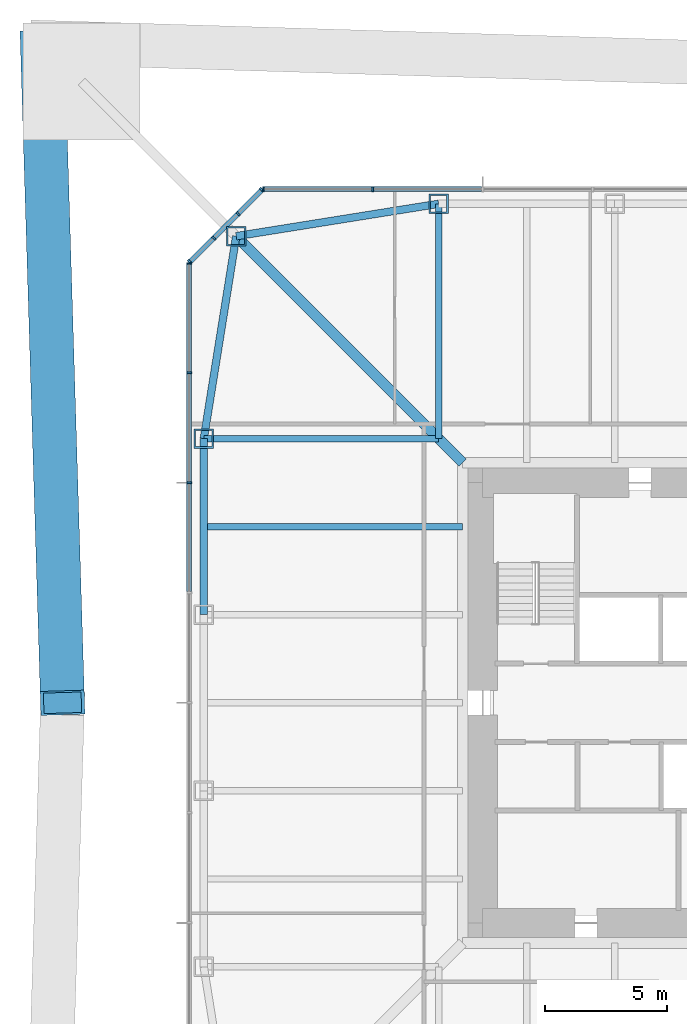
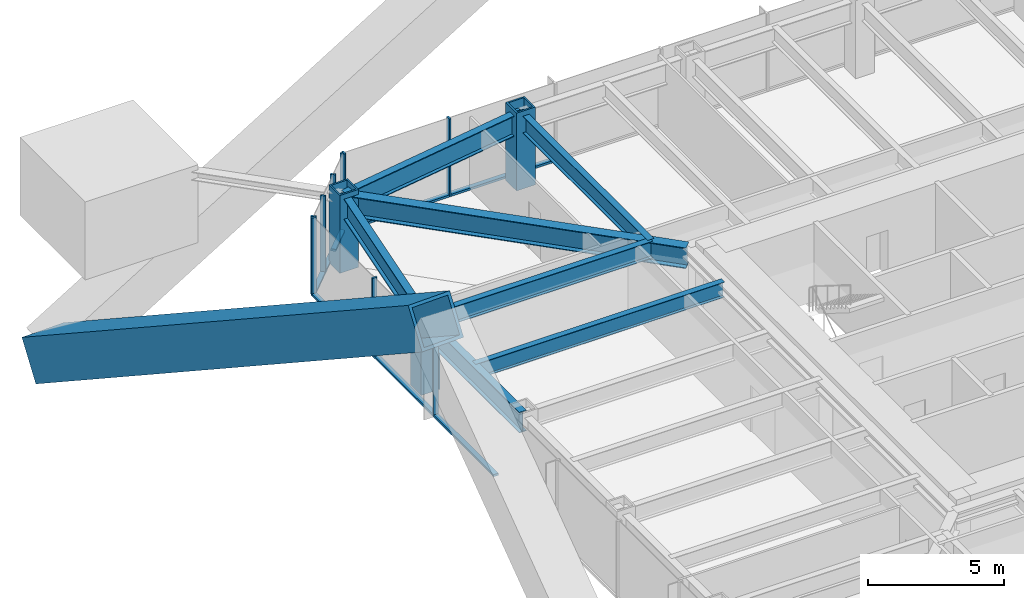
# One storey, part 4 of 21: 21 members, 7 beams, 3 elements without a shape of their own.
"""IFC4 building model written with IfcOpenShell, lengths in metres."""

from ifc_helpers import new_model, si_unit, direction, frame, origin, origin_2d, place, context, subcontext, project, spatial, rectangle, hollow_rectangle, i_section, extrude, material, material_profile, profile_set, type_object, element, aggregate, save


model = new_model("IFC4")

# Units and contexts
model_context = context("Model", 3, precision=1e-05, world=origin(), true_north=direction((0.0, 1.0)))
body_context = subcontext(model_context, "Body", "Model", "MODEL_VIEW")
ifc_project = project(units=[si_unit("LENGTHUNIT", "METRE"), si_unit("AREAUNIT", "SQUARE_METRE"), si_unit("VOLUMEUNIT", "CUBIC_METRE"), si_unit("PLANEANGLEUNIT", "RADIAN"), si_unit("MASSUNIT", "GRAM", prefix="KILO")], contexts=[model_context])

# Site, building, storey
site_placement = place(None, origin())
site = spatial("IfcSite", under=ifc_project, at=site_placement, CompositionType="ELEMENT")
building_placement = place(site_placement, origin())
building = spatial("IfcBuilding", under=site, at=building_placement, Name="Iwan Alto Co-Living Towers", CompositionType="ELEMENT")
storey_placement = place(building_placement, frame((0.0, 0.0, 80.5)))
storey = spatial("IfcBuildingStorey", under=building, at=storey_placement, Name="L21", CompositionType="ELEMENT", Elevation=80.5)

# Curtain wall, members
ifc_material_1 = material(Name="Bronze aluminium unitised frame", Category="aluminium")
curtain_wall_type_1 = type_object("IfcCurtainWallType", Name="CURTAIN WALL CW-A", PredefinedType="NOTDEFINED", material=ifc_material_1)
curtain_wall_1_placement = place(storey_placement, origin())
curtain_wall_1 = element("IfcCurtainWall", 1, at=curtain_wall_1_placement, inside=storey, type_object=curtain_wall_type_1, Name="T1 curtain wall N L21", PredefinedType="NOTDEFINED")
ifc_material_2 = material(Name="Aluminium 6063-T6 bronze anodised", Category="aluminium")
ifc_material_profile_1 = material_profile(ifc_material_2, rectangle(XDim=0.199951171875, YDim=0.080078125, at=origin_2d()), Name="AL 80X200")
ifc_profile_set_1 = profile_set([ifc_material_profile_1], Name="Aluminium 6063-T6 bronze anodised")
member_type_1 = type_object("IfcMemberType", Name="CW-A MULLION 80X200", PredefinedType="MULLION", material=ifc_profile_set_1)
member_1_placement = place(storey_placement, frame((-13.5, 21.0, 0.0), z_axis=(0.0, 0.0, 1.0), x_axis=(0.0, -1.0, 0.0)))
member_1 = element("IfcMember", 2, at=member_1_placement, type_object=member_type_1, Name="CW-A mullion 8", PredefinedType="MULLION", context=body_context, shape_type="SweptSolid", body=[
    extrude(rectangle(XDim=0.199951171875, YDim=0.080078125, at=origin_2d()), origin(), (0.0, 0.0, 1.0), 3.5),
])
member_2_placement = place(storey_placement, frame((-17.9599609375, 21.0, 0.0), z_axis=(0.0, 0.0, 1.0), x_axis=(0.0, -1.0, 0.0)))
member_2 = element("IfcMember", 3, at=member_2_placement, type_object=member_type_1, Name="CW-A mullion 9", PredefinedType="MULLION", context=body_context, shape_type="SweptSolid", body=[
    extrude(rectangle(XDim=0.199951171875, YDim=0.080078125, at=origin_2d()), origin(), (0.0, 0.0, 1.0), 3.5),
])

curtain_wall_2_placement = place(storey_placement, origin())
curtain_wall_2 = element("IfcCurtainWall", 4, at=curtain_wall_2_placement, inside=storey, type_object=curtain_wall_type_1, Name="T1 curtain wall W L21", PredefinedType="NOTDEFINED")
member_3_placement = place(storey_placement, frame((-21.0, 17.9599609375, 0.0), z_axis=(0.0, 0.0, 1.0), x_axis=(1.0, 0.0, 0.0)))
member_3 = element("IfcMember", 5, at=member_3_placement, type_object=member_type_1, Name="CW-A mullion 1", PredefinedType="MULLION", context=body_context, shape_type="SweptSolid", body=[
    extrude(rectangle(XDim=0.199951171875, YDim=0.080078125, at=origin_2d()), origin(), (0.0, 0.0, 1.0), 3.5),
])
member_4_placement = place(storey_placement, frame((-21.0, 13.5, 0.0), z_axis=(0.0, 0.0, 1.0), x_axis=(1.0, 0.0, 0.0)))
member_4 = element("IfcMember", 6, at=member_4_placement, type_object=member_type_1, Name="CW-A mullion 2", PredefinedType="MULLION", context=body_context, shape_type="SweptSolid", body=[
    extrude(rectangle(XDim=0.199951171875, YDim=0.080078125, at=origin_2d()), origin(), (0.0, 0.0, 1.0), 3.5),
])
member_5_placement = place(storey_placement, frame((-21.0, 9.0, 0.0), z_axis=(0.0, 0.0, 1.0), x_axis=(1.0, 0.0, 0.0)))
member_5 = element("IfcMember", 7, at=member_5_placement, type_object=member_type_1, Name="CW-A mullion 3", PredefinedType="MULLION", context=body_context, shape_type="SweptSolid", body=[
    extrude(rectangle(XDim=0.199951171875, YDim=0.080078125, at=origin_2d()), origin(), (0.0, 0.0, 1.0), 3.5),
])

# Member
ifc_material_3 = material(Name="Aluminium 6063-T6 bronze anodised", Category="aluminium")
ifc_material_profile_2 = material_profile(ifc_material_3, rectangle(XDim=0.199951171875, YDim=0.10009765625, at=origin_2d()), Name="AL 200X100")
ifc_profile_set_2 = profile_set([ifc_material_profile_2], Name="Aluminium 6063-T6 bronze anodised")
member_type_2 = type_object("IfcMemberType", Name="CW-A TRANSOM 200X100", PredefinedType="USERDEFINED", material=ifc_profile_set_2)
member_6_placement = place(storey_placement, frame((-9.0400390625, 21.0, 0.050048828125), z_axis=(-1.0, 0.0, 0.0), x_axis=(0.0, -1.0, 0.0)))
member_6 = element("IfcMember", 8, at=member_6_placement, type_object=member_type_2, Name="CW-A transom 7.1", ObjectType="TRANSOM", PredefinedType="USERDEFINED", context=body_context, shape_type="SweptSolid", body=[
    extrude(rectangle(XDim=0.199951171875, YDim=0.10009765625, at=origin_2d()), origin(), (0.0, 0.0, 1.0), 4.419921875),
])

member_7_placement = place(storey_placement, frame((-13.5400390625, 21.0, 0.050048828125), z_axis=(-1.0, 0.0, 0.0), x_axis=(0.0, -1.0, 0.0)))
member_7 = element("IfcMember", 9, at=member_7_placement, type_object=member_type_2, Name="CW-A transom 8.1", ObjectType="TRANSOM", PredefinedType="USERDEFINED", context=body_context, shape_type="SweptSolid", body=[
    extrude(rectangle(XDim=0.199951171875, YDim=0.10009765625, at=origin_2d()), origin(), (0.0, 0.0, 1.0), 4.3798828125),
])

aggregate(curtain_wall_1, [member_1, member_2, member_6, member_7])

member_8_placement = place(storey_placement, frame((-21.0, 17.919921875, 0.050048828125), z_axis=(0.0, -1.0, 0.0), x_axis=(1.0, 0.0, 0.0)))
member_8 = element("IfcMember", 10, at=member_8_placement, type_object=member_type_2, Name="CW-A transom 1.1", ObjectType="TRANSOM", PredefinedType="USERDEFINED", context=body_context, shape_type="SweptSolid", body=[
    extrude(rectangle(XDim=0.199951171875, YDim=0.10009765625, at=origin_2d()), origin(), (0.0, 0.0, 1.0), 4.3798828125),
])

member_9_placement = place(storey_placement, frame((-21.0, 13.4599609375, 0.050048828125), z_axis=(0.0, -1.0, 0.0), x_axis=(1.0, 0.0, 0.0)))
member_9 = element("IfcMember", 11, at=member_9_placement, type_object=member_type_2, Name="CW-A transom 2.1", ObjectType="TRANSOM", PredefinedType="USERDEFINED", context=body_context, shape_type="SweptSolid", body=[
    extrude(rectangle(XDim=0.199951171875, YDim=0.10009765625, at=origin_2d()), origin(), (0.0, 0.0, 1.0), 4.419921875),
])

member_10_placement = place(storey_placement, frame((-21.0, 8.9599609375, 0.050048828125), z_axis=(0.0, -1.0, 0.0), x_axis=(1.0, 0.0, 0.0)))
member_10 = element("IfcMember", 12, at=member_10_placement, type_object=member_type_2, Name="CW-A transom 3.1", ObjectType="TRANSOM", PredefinedType="USERDEFINED", context=body_context, shape_type="SweptSolid", body=[
    extrude(rectangle(XDim=0.199951171875, YDim=0.10009765625, at=origin_2d()), origin(), (0.0, 0.0, 1.0), 4.419921875),
])

aggregate(curtain_wall_2, [member_3, member_4, member_5, member_8, member_9, member_10])

# Curtain wall, members
ifc_material_4 = material(Name="Bronze aluminium unitised frame", Category="aluminium")
curtain_wall_type_2 = type_object("IfcCurtainWallType", Name="CURTAIN WALL CW-B", PredefinedType="NOTDEFINED", material=ifc_material_4)
curtain_wall_3_placement = place(storey_placement, origin())
curtain_wall_3 = element("IfcCurtainWall", 13, at=curtain_wall_3_placement, inside=storey, type_object=curtain_wall_type_2, Name="T1 chamfer curtain wall NW L21", PredefinedType="NOTDEFINED")
ifc_material_5 = material(Name="Aluminium 6063-T6 bronze anodised", Category="aluminium")
ifc_material_profile_3 = material_profile(ifc_material_5, rectangle(XDim=0.199951171875, YDim=0.080078125, at=origin_2d()), Name="AL 80X200")
ifc_profile_set_3 = profile_set([ifc_material_profile_3], Name="Aluminium 6063-T6 bronze anodised")
member_type_3 = type_object("IfcMemberType", Name="CW-B MULLION 80X200", PredefinedType="MULLION", material=ifc_profile_set_3)
member_11_placement = place(storey_placement, frame((-18.0283203125, 20.9716796875, 0.0), z_axis=(0.0, 0.0, 1.0), x_axis=(0.707106781187, -0.707106781187, 0.0)))
member_11 = element("IfcMember", 14, at=member_11_placement, type_object=member_type_3, Name="CW-B mullion 1", PredefinedType="MULLION", context=body_context, shape_type="SweptSolid", body=[
    extrude(rectangle(XDim=0.199951171875, YDim=0.080078125, at=origin_2d()), origin(), (0.0, 0.0, 1.0), 3.5),
])
member_12_placement = place(storey_placement, frame((-19.0, 20.0, 0.0), z_axis=(0.0, 0.0, 1.0), x_axis=(0.707106781187, -0.707106781187, 0.0)))
member_12 = element("IfcMember", 15, at=member_12_placement, type_object=member_type_3, Name="CW-B mullion 2", PredefinedType="MULLION", context=body_context, shape_type="SweptSolid", body=[
    extrude(rectangle(XDim=0.199951171875, YDim=0.080078125, at=origin_2d()), origin(), (0.0, 0.0, 1.0), 3.5),
])
member_13_placement = place(storey_placement, frame((-20.0, 19.0, 0.0), z_axis=(0.0, 0.0, 1.0), x_axis=(0.707106781187, -0.707106781187, 0.0)))
member_13 = element("IfcMember", 16, at=member_13_placement, type_object=member_type_3, Name="CW-B mullion 3", PredefinedType="MULLION", context=body_context, shape_type="SweptSolid", body=[
    extrude(rectangle(XDim=0.199951171875, YDim=0.080078125, at=origin_2d()), origin(), (0.0, 0.0, 1.0), 3.5),
])
member_14_placement = place(storey_placement, frame((-20.9716796875, 18.0283203125, 0.0), z_axis=(0.0, 0.0, 1.0), x_axis=(0.707106781187, -0.707106781187, 0.0)))
member_14 = element("IfcMember", 17, at=member_14_placement, type_object=member_type_3, Name="CW-B mullion 4", PredefinedType="MULLION", context=body_context, shape_type="SweptSolid", body=[
    extrude(rectangle(XDim=0.199951171875, YDim=0.080078125, at=origin_2d()), origin(), (0.0, 0.0, 1.0), 3.5),
])
ifc_material_6 = material(Name="Aluminium 6063-T6 bronze anodised", Category="aluminium")
ifc_material_profile_4 = material_profile(ifc_material_6, rectangle(XDim=0.199951171875, YDim=0.10009765625, at=origin_2d()), Name="AL 200X100")
ifc_profile_set_4 = profile_set([ifc_material_profile_4], Name="Aluminium 6063-T6 bronze anodised")
member_type_4 = type_object("IfcMemberType", Name="CW-B TRANSOM 200X100", PredefinedType="USERDEFINED", material=ifc_profile_set_4)
member_15_placement = place(storey_placement, frame((-18.056640625, 20.943359375, 0.050048828125), z_axis=(-0.707106781187, -0.707106781187, 0.0), x_axis=(0.707106781187, -0.707106781187, 0.0)))
member_15 = element("IfcMember", 18, at=member_15_placement, type_object=member_type_4, Name="CW-B transom 1.1", ObjectType="TRANSOM", PredefinedType="USERDEFINED", context=body_context, shape_type="SweptSolid", body=[
    extrude(rectangle(XDim=0.199951171875, YDim=0.10009765625, at=origin_2d()), origin(), (0.0, 0.0, 1.0), 1.2939453125),
])
member_16_placement = place(storey_placement, frame((-19.0283203125, 19.9716796875, 0.050048828125), z_axis=(-0.707106781187, -0.707106781187, 0.0), x_axis=(0.707106781187, -0.707106781187, 0.0)))
member_16 = element("IfcMember", 19, at=member_16_placement, type_object=member_type_4, Name="CW-B transom 2.1", ObjectType="TRANSOM", PredefinedType="USERDEFINED", context=body_context, shape_type="SweptSolid", body=[
    extrude(rectangle(XDim=0.199951171875, YDim=0.10009765625, at=origin_2d()), origin(), (0.0, 0.0, 1.0), 1.334228515625),
])
member_17_placement = place(storey_placement, frame((-20.0283203125, 18.9716796875, 0.050048828125), z_axis=(-0.707106781187, -0.707106781187, 0.0), x_axis=(0.707106781187, -0.707106781187, 0.0)))
member_17 = element("IfcMember", 20, at=member_17_placement, type_object=member_type_4, Name="CW-B transom 3.1", ObjectType="TRANSOM", PredefinedType="USERDEFINED", context=body_context, shape_type="SweptSolid", body=[
    extrude(rectangle(XDim=0.199951171875, YDim=0.10009765625, at=origin_2d()), origin(), (0.0, 0.0, 1.0), 1.2939453125),
])
aggregate(curtain_wall_3, [member_11, member_12, member_13, member_14, member_15, member_16, member_17])

# Beams
ifc_material_7 = material(Name="Steel ASTM A992 Gr 50", Category="steel")
ifc_material_profile_5 = material_profile(ifc_material_7, i_section(OverallWidth=0.419189453125, OverallDepth=0.927001953125, WebThickness=0.019287109375, FlangeThickness=0.031982421875, at=origin_2d()), Name="W36X231")
ifc_profile_set_5 = profile_set([ifc_material_profile_5], Name="Steel ASTM A992 Gr 50")
beam_type_1 = type_object("IfcBeamType", Name="T1 CORNER GIRDER W36X231", PredefinedType="BEAM", material=ifc_profile_set_5)
beam_1_placement = place(storey_placement, frame((-19.07568359375, 19.07568359375, 2.806396484375), z_axis=(0.707106781187, -0.707106781187, 0.0), x_axis=(0.707106781187, 0.707106781187, 0.0)))
element("IfcBeam", 21, at=beam_1_placement, inside=storey, type_object=beam_type_1, Name="T1 corner girder CNW L22", PredefinedType="BEAM", context=body_context, shape_type="SweptSolid", body=[
    extrude(i_section(OverallWidth=0.419189453125, OverallDepth=0.927001953125, WebThickness=0.019287109375, FlangeThickness=0.031982421875, at=origin_2d()), origin(), (0.0, 0.0, 1.0), 13.091796875),
])
ifc_material_8 = material(Name="Steel ASTM A992 Gr 50", Category="steel")
ifc_material_profile_6 = material_profile(ifc_material_8, i_section(OverallWidth=0.307373046875, OverallDepth=0.927001953125, WebThickness=0.01953125, FlangeThickness=0.031982421875, at=origin_2d()), Name="W36X194")
ifc_profile_set_6 = profile_set([ifc_material_profile_6], Name="Steel ASTM A992 Gr 50")
beam_type_2 = type_object("IfcBeamType", Name="T1 EDGE BEAM W36X194", PredefinedType="BEAM", material=ifc_profile_set_6)
for number, where, z_axis, x_axis, name in (
    (22, (-10.800048828125, 20.39990234375, 2.806396484375), (-0.987438450439, -0.158004134737, 0.0), (0.158004134737, -0.987438450439, 0.0), "T1 edge beam N4 L22"),
    (23, (-19.07568359375, 19.07568359375, 2.806396484375), (-0.158004134737, -0.987438450439, 0.0), (0.987438450439, -0.158004134737, 0.0), "T1 edge beam CNW L22"),
):
    element("IfcBeam", number, at=place(storey_placement, frame(where, z_axis=z_axis, x_axis=x_axis)), inside=storey, type_object=beam_type_2, Name=name, PredefinedType="BEAM", context=body_context, shape_type="SweptSolid", body=[
        extrude(i_section(OverallWidth=0.307373046875, OverallDepth=0.927001953125, WebThickness=0.01953125, FlangeThickness=0.031982421875, at=origin_2d()), origin(), (0.0, 0.0, 1.0), 8.380859375),
    ])
beam_2_placement = place(storey_placement, frame((-20.39990234375, 10.800048828125, 2.806396484375), z_axis=(0.0, -1.0, 0.0), x_axis=(1.0, 0.0, 0.0)))
element("IfcBeam", 24, at=beam_2_placement, inside=storey, type_object=beam_type_2, Name="T1 edge beam W1 L22", PredefinedType="BEAM", context=body_context, shape_type="SweptSolid", body=[
    extrude(i_section(OverallWidth=0.307373046875, OverallDepth=0.927001953125, WebThickness=0.01953125, FlangeThickness=0.031982421875, at=origin_2d()), origin(), (0.0, 0.0, 1.0), 7.199951171875),
])

# Member
ifc_material_9 = material(Name="Steel ASTM A572 Gr 42", Category="steel")
ifc_material_profile_7 = material_profile(ifc_material_9, hollow_rectangle(XDim=1.800048828125, YDim=1.800048828125, WallThickness=0.1298828125, at=origin_2d()), Name="BOX 1800X1800X130")
ifc_profile_set_7 = profile_set([ifc_material_profile_7], Name="Steel ASTM A572 Gr 42")
member_type_5 = type_object("IfcMemberType", Name="T1 MEGA BRACE BOX 1800X1800X130", PredefinedType="BRACE", material=ifc_profile_set_7)
member_18_placement = place(storey_placement, frame((-27.0, 27.0, -6.0), z_axis=(0.0256074434, -0.8386077526, 0.544133527842), x_axis=(0.999534112434, 0.03052143643, 0.0)))
element("IfcMember", 25, at=member_18_placement, inside=storey, type_object=member_type_5, Name="T1 mega brace Z2A W 1 lower", PredefinedType="BRACE", context=body_context, shape_type="SweptSolid", body=[
    extrude(hollow_rectangle(XDim=1.800048828125, YDim=1.800048828125, WallThickness=0.1298828125, at=origin_2d()), origin(), (0.0, 0.0, 1.0), 32.1962890625),
])

# Beams
ifc_material_10 = material(Name="Steel ASTM A992 Gr 50", Category="steel")
ifc_material_profile_8 = material_profile(ifc_material_10, i_section(OverallWidth=0.2666015625, OverallDepth=0.761962890625, WebThickness=0.014404296875, FlangeThickness=0.021484375, at=origin_2d()), Name="W30X116")
ifc_profile_set_8 = profile_set([ifc_material_profile_8], Name="Steel ASTM A992 Gr 50")
beam_type_3 = type_object("IfcBeamType", Name="T1 RADIAL BEAM W30X116", PredefinedType="BEAM", material=ifc_profile_set_8)
for number, where, z_axis, x_axis, name in (
    (26, (-10.800048828125, 20.39990234375, 2.888916015625), (0.0, -1.0, 0.0), (1.0, 0.0, 0.0), "T1 radial beam N4 L22"),
    (27, (-20.39990234375, 10.800048828125, 2.888916015625), (1.0, 0.0, 0.0), (0.0, 1.0, 0.0), "T1 radial beam W1 L22"),
):
    element("IfcBeam", number, at=place(storey_placement, frame(where, z_axis=z_axis, x_axis=x_axis)), inside=storey, type_object=beam_type_3, Name=name, PredefinedType="BEAM", context=body_context, shape_type="SweptSolid", body=[
        extrude(i_section(OverallWidth=0.2666015625, OverallDepth=0.761962890625, WebThickness=0.014404296875, FlangeThickness=0.021484375, at=origin_2d()), origin(), (0.0, 0.0, 1.0), 9.599853515625),
    ])

# Members
ifc_material_11 = material(Name="Steel ASTM A572 Gr 50", Category="steel")
ifc_material_profile_9 = material_profile(ifc_material_11, hollow_rectangle(XDim=0.800048828125, YDim=0.800048828125, WallThickness=0.070068359375, at=origin_2d()), Name="BOX 800X800X70")
ifc_profile_set_9 = profile_set([ifc_material_profile_9], Name="Steel ASTM A572 Gr 50")
member_type_6 = type_object("IfcMemberType", Name="T1 RING POST AT STEP BOX 800X800X70", PredefinedType="MEMBER", material=ifc_profile_set_9)
for number, where, z_axis, x_axis, name in (
    (28, (-10.800048828125, 20.39990234375, 0.0), (0.0, 0.0, 1.0), (1.0, 0.0, 0.0), "T1 ring post at step N4 L21"),
    (29, (-19.07568359375, 19.07568359375, 0.0), (0.0, 0.0, 1.0), (1.0, 0.0, 0.0), "T1 ring post at step CNW L21"),
    (30, (-20.39990234375, 10.800048828125, 0.0), (0.0, 0.0, 1.0), (1.0, 0.0, 0.0), "T1 ring post at step W1 L21"),
):
    element("IfcMember", number, at=place(storey_placement, frame(where, z_axis=z_axis, x_axis=x_axis)), inside=storey, type_object=member_type_6, Name=name, PredefinedType="MEMBER", context=body_context, shape_type="SweptSolid", body=[
        extrude(hollow_rectangle(XDim=0.800048828125, YDim=0.800048828125, WallThickness=0.070068359375, at=origin_2d()), origin(), (0.0, 0.0, 1.0), 3.5),
    ])

# Beam
ifc_material_12 = material(Name="Steel ASTM A992 Gr 50", Category="steel")
ifc_material_profile_10 = material_profile(ifc_material_12, i_section(OverallWidth=0.25390625, OverallDepth=0.683349609375, WebThickness=0.012451171875, FlangeThickness=0.018798828125, at=origin_2d()), Name="W27X94")
ifc_profile_set_10 = profile_set([ifc_material_profile_10], Name="Steel ASTM A992 Gr 50")
beam_type_4 = type_object("IfcBeamType", Name="T1 SECONDARY BEAM W27X94", PredefinedType="JOIST", material=ifc_profile_set_10)
beam_3_placement = place(storey_placement, frame((-20.39990234375, 7.199951171875, 2.928466796875), z_axis=(1.0, 0.0, 0.0), x_axis=(0.0, 1.0, 0.0)))
element("IfcBeam", 31, at=beam_3_placement, inside=storey, type_object=beam_type_4, Name="T1 secondary beam W1 L22", PredefinedType="JOIST", context=body_context, shape_type="SweptSolid", body=[
    extrude(i_section(OverallWidth=0.25390625, OverallDepth=0.683349609375, WebThickness=0.012451171875, FlangeThickness=0.018798828125, at=origin_2d()), origin(), (0.0, 0.0, 1.0), 10.58154296875),
])

save(model, "model.ifc")
